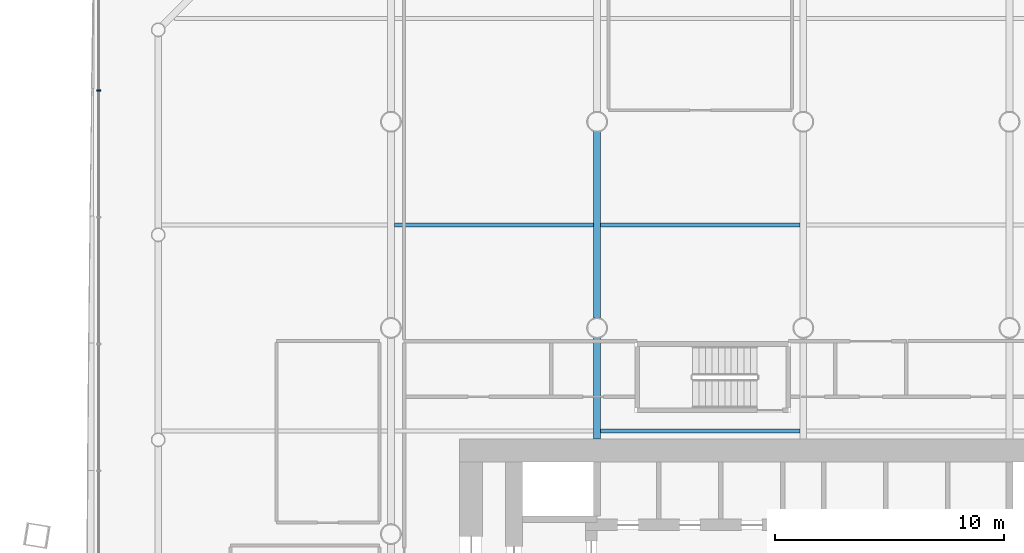
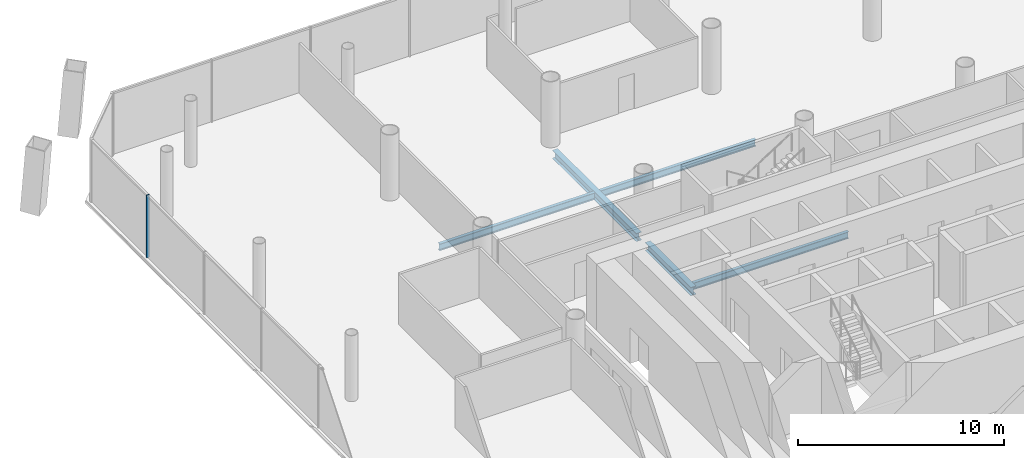
# One storey, part 9 of 22: 5 beams, 1 member, 1 element without a shape of its own.
"""IFC4 building model written with IfcOpenShell, lengths in metres."""

from ifc_helpers import new_model, si_unit, direction, frame, origin, origin_2d, place, context, subcontext, project, spatial, rectangle, i_section, extrude, material, material_profile, profile_set, type_object, element, aggregate, save


model = new_model("IFC4")

# Units and contexts
model_context = context("Model", 3, precision=1e-05, world=origin(), true_north=direction((0.0, 1.0)))
body_context = subcontext(model_context, "Body", "Model", "MODEL_VIEW")
ifc_project = project(units=[si_unit("LENGTHUNIT", "METRE"), si_unit("AREAUNIT", "SQUARE_METRE"), si_unit("VOLUMEUNIT", "CUBIC_METRE"), si_unit("PLANEANGLEUNIT", "RADIAN"), si_unit("MASSUNIT", "GRAM", prefix="KILO")], contexts=[model_context])

# Site, building, storey
site_placement = place(None, origin())
site = spatial("IfcSite", under=ifc_project, at=site_placement, CompositionType="ELEMENT")
building_placement = place(site_placement, origin())
building = spatial("IfcBuilding", under=site, at=building_placement, Name="Tskaro Facet Tower", CompositionType="ELEMENT")
storey_placement = place(building_placement, frame((0.0, 0.0, 18.60009765625)))
storey = spatial("IfcBuildingStorey", under=building, at=storey_placement, Name="L03", CompositionType="ELEMENT", Elevation=18.60009765625)

# Curtain wall, member
ifc_material_1 = material(Name="Bronze anodised aluminium 6063-T6", Category="aluminium")
curtain_wall_type = type_object("IfcCurtainWallType", Name="Bronze office curtain wall (FW1)", PredefinedType="NOTDEFINED", material=ifc_material_1)
curtain_wall_placement = place(storey_placement, origin())
curtain_wall = element("IfcCurtainWall", 1, at=curtain_wall_placement, inside=storey, type_object=curtain_wall_type, Name="FW1 west facet L03", PredefinedType="NOTDEFINED")
ifc_material_profile_1 = material_profile(ifc_material_1, rectangle(XDim=0.06005859375, YDim=0.159912109375, at=origin_2d()), Name="Mullion 60x160")
ifc_profile_set_1 = profile_set([ifc_material_profile_1], Name="Bronze anodised aluminium 6063-T6")
member_type = type_object("IfcMemberType", Name="FW1 bronze mullion 60x160", PredefinedType="MULLION", material=ifc_profile_set_1)
member_placement = place(storey_placement, frame((-30.75, 19.363525390625, 0.0), z_axis=(0.0, 0.0, 1.0), x_axis=(0.0, -1.0, 0.0)))
member = element("IfcMember", 2, at=member_placement, type_object=member_type, Name="FW1 west mullion 1", PredefinedType="MULLION", context=body_context, shape_type="SweptSolid", body=[
    extrude(rectangle(XDim=0.06005859375, YDim=0.159912109375, at=origin_2d()), origin(), (0.0, 0.0, 1.0), 3.699951171875),
])
aggregate(curtain_wall, [member])

# Beams
ifc_material_2 = material(Name="Steel S355J2", Category="steel")
ifc_material_profile_2 = material_profile(ifc_material_2, i_section(OverallWidth=0.300048828125, OverallDepth=0.489990234375, WebThickness=0.011962890625, FlangeThickness=0.02294921875, FilletRadius=0.027099609375, at=origin_2d()), Name="HE 500 A")
ifc_profile_set_2 = profile_set([ifc_material_profile_2], Name="Steel S355J2")
beam_type_1 = type_object("IfcBeamType", Name="HE 500 A girder", PredefinedType="BEAM", material=ifc_profile_set_2)
beam_1_placement = place(storey_placement, frame((-9.0, 4.14990234375, -0.385009765625), z_axis=(0.0, 1.0, 0.0), x_axis=(-1.0, 0.0, 0.0)))
element("IfcBeam", 3, at=beam_1_placement, inside=storey, type_object=beam_type_1, Name="HE 500 A GB3-3-1", PredefinedType="BEAM", context=body_context, shape_type="SweptSolid", body=[
    extrude(i_section(OverallWidth=0.300048828125, OverallDepth=0.489990234375, WebThickness=0.011962890625, FlangeThickness=0.02294921875, FilletRadius=0.027099609375, at=origin_2d()), origin(), (0.0, 0.0, 1.0), 4.4228515625),
])
beam_2_placement = place(storey_placement, frame((-9.0, 9.42724609375, -0.385009765625), z_axis=(0.0, 1.0, 0.0), x_axis=(-1.0, 0.0, 0.0)))
element("IfcBeam", 4, at=beam_2_placement, inside=storey, type_object=beam_type_1, Name="HE 500 A GB3-4-1", PredefinedType="BEAM", context=body_context, shape_type="SweptSolid", body=[
    extrude(i_section(OverallWidth=0.300048828125, OverallDepth=0.489990234375, WebThickness=0.011962890625, FlangeThickness=0.02294921875, FilletRadius=0.027099609375, at=origin_2d()), origin(), (0.0, 0.0, 1.0), 8.1455078125),
])
ifc_material_profile_3 = material_profile(ifc_material_2, i_section(OverallWidth=0.179931640625, OverallDepth=0.39990234375, WebThickness=0.008544921875, FlangeThickness=0.013427734375, FilletRadius=0.02099609375, at=origin_2d()), Name="IPE 400")
ifc_profile_set_3 = profile_set([ifc_material_profile_3], Name="Steel S355J2")
beam_type_2 = type_object("IfcBeamType", Name="IPE 400 secondary beam", PredefinedType="BEAM", material=ifc_profile_set_3)
for number, where, z_axis, x_axis, name in (
    (5, (-8.85009765625, 4.5, -0.340087890625), (1.0, 0.0, 0.0), (0.0, 1.0, 0.0), "IPE 400 SB4a-3-1"),
    (6, (-17.85009765625, 13.5, -0.340087890625), (1.0, 0.0, 0.0), (0.0, 1.0, 0.0), "IPE 400 SB5a-2-1"),
    (7, (-8.85009765625, 13.5, -0.340087890625), (1.0, 0.0, 0.0), (0.0, 1.0, 0.0), "IPE 400 SB5a-3-1"),
):
    element("IfcBeam", number, at=place(storey_placement, frame(where, z_axis=z_axis, x_axis=x_axis)), inside=storey, type_object=beam_type_2, Name=name, PredefinedType="BEAM", context=body_context, shape_type="SweptSolid", body=[
        extrude(i_section(OverallWidth=0.179931640625, OverallDepth=0.39990234375, WebThickness=0.008544921875, FlangeThickness=0.013427734375, FilletRadius=0.02099609375, at=origin_2d()), origin(), (0.0, 0.0, 1.0), 8.7001953125),
    ])

save(model, "model.ifc")
